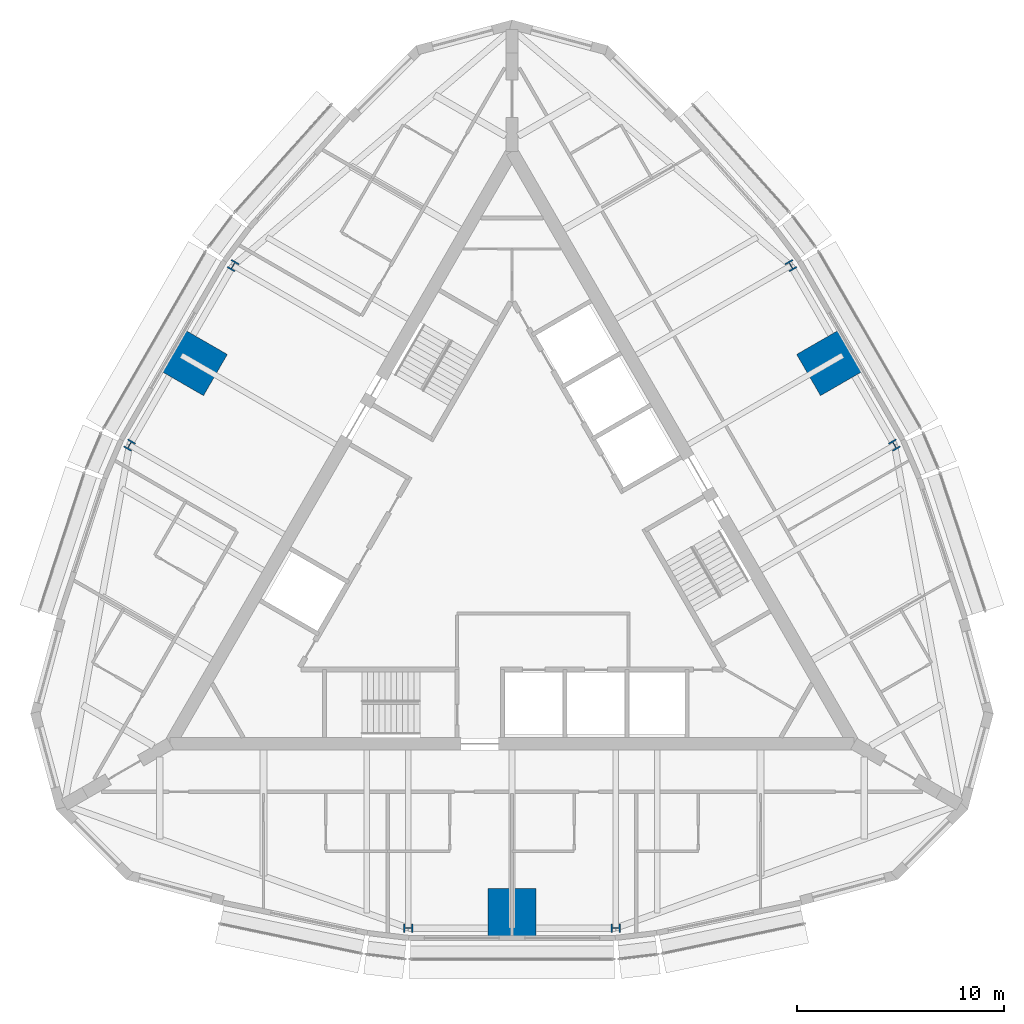
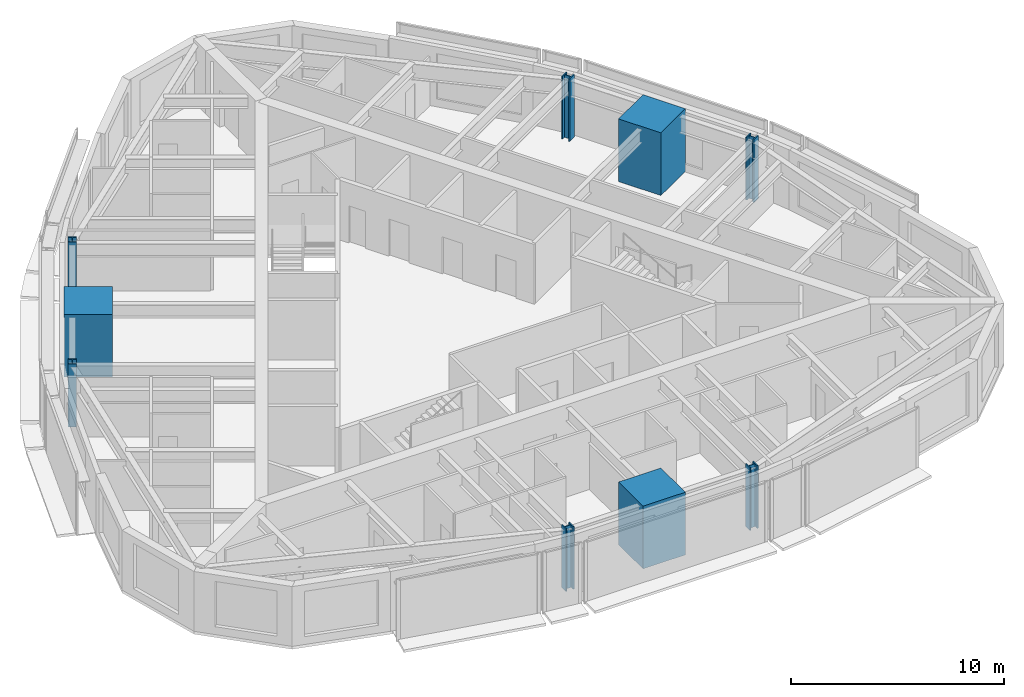
# One storey, part 1 of 12: 9 columns.
"""IFC4 building model written with IfcOpenShell, lengths in metres."""

from ifc_helpers import new_model, si_unit, direction, frame, origin, origin_2d, place, context, subcontext, project, spatial, rectangle, i_section, extrude, material, material_profile, profile_set, type_object, element, save


model = new_model("IFC4")

# Units and contexts
model_context = context("Model", 3, precision=1e-05, world=origin(), true_north=direction((0.0, 1.0)))
body_context = subcontext(model_context, "Body", "Model", "MODEL_VIEW")
ifc_project = project(units=[si_unit("LENGTHUNIT", "METRE"), si_unit("AREAUNIT", "SQUARE_METRE"), si_unit("VOLUMEUNIT", "CUBIC_METRE"), si_unit("PLANEANGLEUNIT", "RADIAN"), si_unit("MASSUNIT", "GRAM", prefix="KILO")], contexts=[model_context])

# Site, building, storey
site_placement = place(None, origin())
site = spatial("IfcSite", under=ifc_project, at=site_placement, CompositionType="ELEMENT")
building_placement = place(site_placement, origin())
building = spatial("IfcBuilding", under=site, at=building_placement, Name="Trikona Tower", CompositionType="ELEMENT")
storey_placement = place(building_placement, frame((0.0, 0.0, 268.10009765625)))
storey = spatial("IfcBuildingStorey", under=building, at=storey_placement, Name="L71", CompositionType="ELEMENT", Elevation=268.10009765625)

# Columns
ifc_material_1 = material(Name="Concrete f'c 10000 psi with encased steel section", Category="concrete")
ifc_material_profile_1 = material_profile(ifc_material_1, rectangle(XDim=2.300048828125, YDim=2.300048828125, at=origin_2d()), Name="MC2300")
ifc_profile_set_1 = profile_set([ifc_material_profile_1], Name="Concrete f'c 10000 psi with encased steel section")
column_type_1 = type_object("IfcColumnType", Name="Composite mega column 2300x2300", PredefinedType="COLUMN", material=ifc_profile_set_1)
for number, where, z_axis, x_axis, name in (
    (1, (0.0, -17.680419921875, 0.0), (0.0, 0.0, 1.0), (0.0, -1.0, 0.0), "Mega column MC1"),
    (2, (15.311767578125, 8.84033203125, 0.0), (0.0, 0.0, 1.0), (0.866025403784, 0.5, 0.0), "Mega column MC2"),
    (3, (-15.311767578125, 8.84033203125, 0.0), (0.0, 0.0, 1.0), (-0.866025403784, 0.5, 0.0), "Mega column MC3"),
):
    element("IfcColumn", number, at=place(storey_placement, frame(where, z_axis=z_axis, x_axis=x_axis)), inside=storey, type_object=column_type_1, Name=name, PredefinedType="COLUMN", context=body_context, shape_type="SweptSolid", body=[
        extrude(rectangle(XDim=2.300048828125, YDim=2.300048828125, at=origin_2d()), origin(), (0.0, 0.0, 1.0), 3.599853515625),
    ])
ifc_material_2 = material(Name="Steel ASTM A992 Grade 50", Category="steel")
ifc_material_profile_2 = material_profile(ifc_material_2, i_section(OverallWidth=0.419189453125, OverallDepth=0.45458984375, WebThickness=0.042236328125, FlangeThickness=0.067626953125, at=origin_2d()), Name="W14X370")
ifc_profile_set_2 = profile_set([ifc_material_profile_2], Name="Steel ASTM A992 Grade 50")
column_type_2 = type_object("IfcColumnType", Name="Steel column W14x370", PredefinedType="COLUMN", material=ifc_profile_set_2)
for number, where, z_axis, x_axis, name in (
    (4, (-5.0, -18.430419921875, 0.0), (0.0, 0.0, 1.0), (0.0, -1.0, 0.0), "Column F0m5"),
    (5, (5.0, -18.430419921875, 0.0), (0.0, 0.0, 1.0), (0.0, -1.0, 0.0), "Column F0p5"),
    (6, (18.461181640625, 4.885009765625, 0.0), (0.0, 0.0, 1.0), (0.866025403784, 0.5, 0.0), "Column F1m5"),
    (7, (13.461181640625, 13.54541015625, 0.0), (0.0, 0.0, 1.0), (0.866025403784, 0.5, 0.0), "Column F1p5"),
    (8, (-13.461181640625, 13.54541015625, 0.0), (0.0, 0.0, 1.0), (-0.866025403784, 0.5, 0.0), "Column F2m5"),
    (9, (-18.461181640625, 4.885009765625, 0.0), (0.0, 0.0, 1.0), (-0.866025403784, 0.5, 0.0), "Column F2p5"),
):
    element("IfcColumn", number, at=place(storey_placement, frame(where, z_axis=z_axis, x_axis=x_axis)), inside=storey, type_object=column_type_2, Name=name, PredefinedType="COLUMN", context=body_context, shape_type="SweptSolid", body=[
        extrude(i_section(OverallWidth=0.419189453125, OverallDepth=0.45458984375, WebThickness=0.042236328125, FlangeThickness=0.067626953125, at=origin_2d()), origin(), (0.0, 0.0, 1.0), 3.599853515625),
    ])

save(model, "model.ifc")
